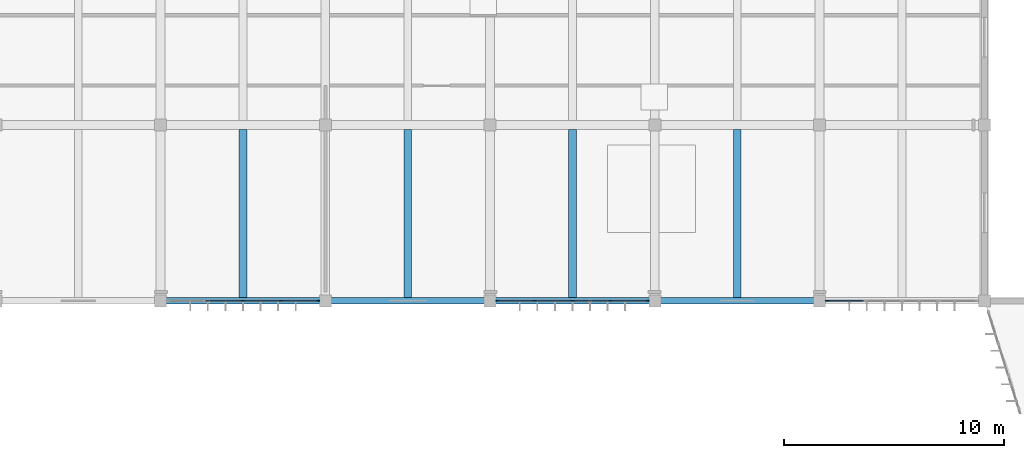
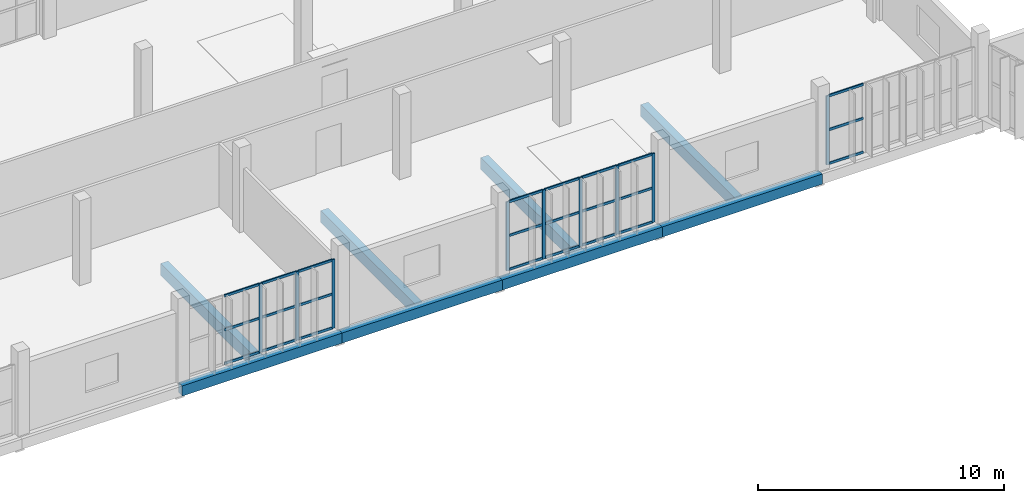
# One storey, part 15 of 61: 33 members, 8 beams, 3 elements without a shape of their own.
"""IFC4 building model written with IfcOpenShell, lengths in metres."""

import ifcopenshell
import ifcopenshell.guid

model = None  # the IFC model being written
_history = None  # IfcOwnerHistory: only IFC2X3 demands one
_inside = {}  # id of a spatial element -> (the spatial element, [elements in it])
_under = {}  # id of a project, library or spatial element -> (it, [spatial elements below it])
_declared = {}  # id of a project -> (the project, [libraries it declares])
_typed = {}  # id of a type object -> (the type object, [elements of that type])
_made_of = {}  # id of a material, layer set ... -> (it, [elements and type objects made of it])


def new_model(schema):
    """Start an empty IFC model of exactly this schema.

    Asked for "IFC4X3", IfcOpenShell would pick the latest addendum, in which some entities
    have other attributes; the version numbers below select the first issue.
    IFC2X3 requires an IfcOwnerHistory on every rooted entity: one is made here for all.
    """
    global model, _history
    if schema == "IFC4X3":
        model = ifcopenshell.file(schema_version=(4, 3, 0, 0))
    else:
        model = ifcopenshell.file(schema=schema)
    _inside.clear()
    _under.clear()
    _declared.clear()
    _typed.clear()
    _made_of.clear()
    _history = None
    if model.schema == "IFC2X3":
        org = make("IfcOrganization", Name="unknown")
        user = make(
            "IfcPersonAndOrganization",
            ThePerson=make("IfcPerson", FamilyName="unknown"),
            TheOrganization=org,
        )
        app = make(
            "IfcApplication",
            ApplicationDeveloper=org,
            Version="unknown",
            ApplicationFullName="unknown",
            ApplicationIdentifier="unknown",
        )
        _history = make(
            "IfcOwnerHistory",
            OwningUser=user,
            OwningApplication=app,
            ChangeAction="ADDED",
            CreationDate=0,
        )
    return model


def make(cls, **values):
    """One entity of the class cls with the attributes given. An attribute that is None is left unset."""
    return model.create_entity(
        cls, **{name: value for name, value in values.items() if value is not None}
    )


def rooted(cls, **values):
    """An entity with a GlobalId (a new one), such as an element, a storey or a relation."""
    return make(cls, GlobalId=ifcopenshell.guid.new(), OwnerHistory=_history, **values)


def si_unit(unit_type, name, prefix=None):
    """IfcSIUnit, for example si_unit("LENGTHUNIT", "METRE", prefix="MILLI")."""
    return make("IfcSIUnit", UnitType=unit_type, Prefix=prefix, Name=name)


def assignment(units):
    """IfcUnitAssignment: the units of a project."""
    return None if units is None else make("IfcUnitAssignment", Units=units)


def point(xyz):
    """IfcCartesianPoint."""
    return None if xyz is None else make("IfcCartesianPoint", Coordinates=xyz)


def direction(xyz):
    """IfcDirection."""
    return None if xyz is None else make("IfcDirection", DirectionRatios=xyz)


def frame(location, z_axis=None, x_axis=None):
    """IfcAxis2Placement3D, a coordinate frame: its origin and axes. An axis left out is left unset."""
    return make(
        "IfcAxis2Placement3D",
        Location=point(location),
        Axis=direction(z_axis),
        RefDirection=direction(x_axis),
    )


def frame_2d(location, x_axis=None):
    """IfcAxis2Placement2D, a coordinate frame in the plane: its origin and x axis."""
    return make(
        "IfcAxis2Placement2D", Location=point(location), RefDirection=direction(x_axis)
    )


def origin():
    """The frame at (0, 0, 0) with its axes left unset."""
    return frame((0.0, 0.0, 0.0))


def origin_2d():
    """The frame at (0, 0) in the plane with its x axis left unset."""
    return frame_2d((0.0, 0.0))


def place(relative_to, where):
    """IfcLocalPlacement: puts the frame where relative to a parent placement (None: the world)."""
    return make(
        "IfcLocalPlacement", PlacementRelTo=relative_to, RelativePlacement=where
    )


def context(
    kind, dimensions, precision=None, world=None, true_north=None, identifier=None
):
    """IfcGeometricRepresentationContext, for example the 3D "Model" context."""
    return make(
        "IfcGeometricRepresentationContext",
        ContextIdentifier=identifier,
        ContextType=kind,
        CoordinateSpaceDimension=dimensions,
        Precision=precision,
        WorldCoordinateSystem=world,
        TrueNorth=true_north,
    )


def subcontext(parent, identifier, kind, view, scale=None):
    """IfcGeometricRepresentationSubContext, for example "Body" below "Model"."""
    return make(
        "IfcGeometricRepresentationSubContext",
        ContextIdentifier=identifier,
        ContextType=kind,
        ParentContext=parent,
        TargetScale=scale,
        TargetView=view,
    )


def project(units=None, contexts=None):
    """IfcProject with its units and contexts."""
    return rooted(
        "IfcProject",
        Name="project",
        RepresentationContexts=contexts,
        UnitsInContext=assignment(units),
    )


def spatial(cls, under=None, at=None, **own):
    """A site, building, storey or space (cls), placed at a placement, below another one or the project."""
    s = rooted(cls, ObjectPlacement=at, **own)
    if under is not None:
        _under.setdefault(under.id(), (under, []))[1].append(s)
    return s


def profile(cls, at=None, kind="AREA", **sizes):
    """A parametric profile (cls). Its sizes go by their IFC names, for example OverallWidth=200.0."""
    return make(cls, ProfileType=kind, Position=at, **sizes)


def rectangle(**sizes):
    """IfcRectangleProfileDef."""
    return profile("IfcRectangleProfileDef", **sizes)


def extrude(swept, where, along, depth):
    """IfcExtrudedAreaSolid: the profile swept, set in the frame where, extruded along a direction by depth."""
    return make(
        "IfcExtrudedAreaSolid",
        SweptArea=swept,
        Position=where,
        ExtrudedDirection=direction(along),
        Depth=depth,
    )


def shape(context_of_items, identifier, shape_type, items):
    """IfcShapeRepresentation: the items that make up one representation, for example the "Body"."""
    return make(
        "IfcShapeRepresentation",
        ContextOfItems=context_of_items,
        RepresentationIdentifier=identifier,
        RepresentationType=shape_type,
        Items=items,
    )


def material(Name=None, Category=None):
    """IfcMaterial."""
    return make("IfcMaterial", Name=Name, Category=Category)


def material_profile(
    of_material, cross_section, Name=None, Category=None, Priority=None
):
    """IfcMaterialProfile: a cross section and its material."""
    return make(
        "IfcMaterialProfile",
        Name=Name,
        Material=of_material,
        Profile=cross_section,
        Priority=Priority,
        Category=Category,
    )


def profile_set(profiles, Name=None, composite=None):
    """IfcMaterialProfileSet."""
    return make(
        "IfcMaterialProfileSet",
        Name=Name,
        MaterialProfiles=profiles,
        CompositeProfile=composite,
    )


def made_of(thing, what):
    """Note that an element or type object is made of a material, layer set ...; save() writes the relation."""
    if what is not None:
        _made_of.setdefault(what.id(), (what, []))[1].append(thing)
    return thing


def type_object(cls, material=None, **own):
    """A type object (cls), such as IfcWallType, which elements share."""
    return made_of(rooted(cls, **own), material)


def element(
    cls,
    number,
    at=None,
    inside=None,
    cuts=None,
    type_object=None,
    material=None,
    context=None,
    identifier="Body",
    shape_type=None,
    held_by="IfcProductDefinitionShape",
    body=None,
    shapes=None,
    **own,
):
    """One element of the class cls, such as IfcWall. Its Tag is "e" and its number.

    at: its placement. inside: the storey or other place that contains it. cuts: it is an
    opening in that element (IfcRelVoidsElement). A single representation is given by context,
    identifier, shape_type and body (its items); several are given by shapes. held_by: the class
    of the entity that holds the representations. save() writes the other relations.
    """
    e = rooted(cls, Tag="e%d" % number, ObjectPlacement=at, **own)
    if body is not None:
        shapes = [shape(context, identifier, shape_type, body)]
    if shapes is not None:
        e.Representation = make(held_by, Representations=shapes)
    if inside is not None:
        _inside.setdefault(inside.id(), (inside, []))[1].append(e)
    if cuts is not None:
        rooted(
            "IfcRelVoidsElement", RelatingBuildingElement=cuts, RelatedOpeningElement=e
        )
    if type_object is not None:
        _typed.setdefault(type_object.id(), (type_object, []))[1].append(e)
    return made_of(e, material)


def aggregate(whole, parts):
    """IfcRelAggregates: a whole, such as a stair, and the parts it consists of."""
    return rooted("IfcRelAggregates", RelatingObject=whole, RelatedObjects=parts)


def save(model, path):
    """Write the relations noted so far, then the file.

    IfcRelAggregates (storeys below a building ...), IfcRelContainedInSpatialStructure (elements
    in a storey), IfcRelDefinesByType, IfcRelAssociatesMaterial and IfcRelDeclares: one each for
    every whole, place, type object, material and project.
    """
    for whole, parts in _under.values():
        aggregate(whole, parts)
    for where, things in _inside.values():
        rooted(
            "IfcRelContainedInSpatialStructure",
            RelatedElements=things,
            RelatingStructure=where,
        )
    for kind, things in _typed.values():
        rooted("IfcRelDefinesByType", RelatedObjects=things, RelatingType=kind)
    for what, things in _made_of.values():
        rooted("IfcRelAssociatesMaterial", RelatedObjects=things, RelatingMaterial=what)
    for by, libraries in _declared.values():
        rooted("IfcRelDeclares", RelatingContext=by, RelatedDefinitions=libraries)
    model.write(path)


model = new_model("IFC4")

# Units and contexts
model_context = context("Model", 3, precision=1e-05, world=origin(), true_north=direction((0.0, 1.0)))
body_context = subcontext(model_context, "Body", "Model", "MODEL_VIEW")
ifc_project = project(units=[si_unit("LENGTHUNIT", "METRE"), si_unit("AREAUNIT", "SQUARE_METRE"), si_unit("VOLUMEUNIT", "CUBIC_METRE"), si_unit("PLANEANGLEUNIT", "RADIAN"), si_unit("MASSUNIT", "GRAM", prefix="KILO")], contexts=[model_context])

# Site, building, storey
site_placement = place(None, origin())
site = spatial("IfcSite", under=ifc_project, at=site_placement, CompositionType="ELEMENT")
building_placement = place(site_placement, origin())
building = spatial("IfcBuilding", under=site, at=building_placement, Name="Vourika Railside Aquatics Centre", CompositionType="ELEMENT")
storey_placement = place(building_placement, frame((0.0, 0.0, 9.300048828125)))
storey = spatial("IfcBuildingStorey", under=building, at=storey_placement, Name="L02", CompositionType="ELEMENT", Elevation=9.300048828125)

# Beams
ifc_material_1 = material(Name="Concrete C35/45", Category="concrete")
ifc_material_profile_1 = material_profile(ifc_material_1, rectangle(XDim=0.35009765625, YDim=0.60009765625, at=origin_2d()), Name="RC 350x600")
ifc_profile_set_1 = profile_set([ifc_material_profile_1], Name="Concrete C35/45")
beam_type_1 = type_object("IfcBeamType", Name="BM-SEC-350x600", PredefinedType="JOIST", material=ifc_profile_set_1)
for number, where, z_axis, x_axis, name in (
    (1, (99.75, 92.14990234375, -0.580078125), (0.0, 1.0, 0.0), (-1.0, 0.0, 0.0), "Secondary Joist JY-L02-344"),
    (2, (107.25, 92.14990234375, -0.580078125), (0.0, 1.0, 0.0), (-1.0, 0.0, 0.0), "Secondary Joist JY-L02-345"),
    (3, (114.75, 92.14990234375, -0.580078125), (0.0, 1.0, 0.0), (-1.0, 0.0, 0.0), "Secondary Joist JY-L02-346"),
    (4, (122.25, 92.14990234375, -0.580078125), (0.0, 1.0, 0.0), (-1.0, 0.0, 0.0), "Secondary Joist JY-L02-347"),
):
    element("IfcBeam", number, at=place(storey_placement, frame(where, z_axis=z_axis, x_axis=x_axis)), inside=storey, type_object=beam_type_1, Name=name, PredefinedType="JOIST", context=body_context, shape_type="SweptSolid", body=[
        extrude(rectangle(XDim=0.35009765625, YDim=0.60009765625, at=origin_2d()), origin(), (0.0, 0.0, 1.0), 7.650146484375),
    ])
ifc_material_profile_2 = material_profile(ifc_material_1, rectangle(XDim=0.300048828125, YDim=0.5, at=origin_2d()), Name="RC 300x500")
ifc_profile_set_2 = profile_set([ifc_material_profile_2], Name="Concrete C35/45")
beam_type_2 = type_object("IfcBeamType", Name="BM-SPAN-300x500", PredefinedType="SPANDREL", material=ifc_profile_set_2)
for number, where, z_axis, x_axis, name in (
    (5, (96.0, 92.0, -0.530029296875), (1.0, 0.0, 0.0), (0.0, 1.0, 0.0), "Floor Beam GX-L02-094"),
    (6, (103.5, 92.0, -0.530029296875), (1.0, 0.0, 0.0), (0.0, 1.0, 0.0), "Floor Beam GX-L02-095"),
    (7, (111.0, 92.0, -0.530029296875), (1.0, 0.0, 0.0), (0.0, 1.0, 0.0), "Floor Beam GX-L02-096"),
    (8, (118.5, 92.0, -0.530029296875), (1.0, 0.0, 0.0), (0.0, 1.0, 0.0), "Floor Beam GX-L02-097"),
):
    element("IfcBeam", number, at=place(storey_placement, frame(where, z_axis=z_axis, x_axis=x_axis)), inside=storey, type_object=beam_type_2, Name=name, PredefinedType="SPANDREL", context=body_context, shape_type="SweptSolid", body=[
        extrude(rectangle(XDim=0.300048828125, YDim=0.5, at=origin_2d()), origin(), (0.0, 0.0, 1.0), 7.5),
    ])

# Curtain wall, members
ifc_material_2 = material(Name="Anodized thermally broken aluminium", Category="aluminium")
curtain_wall_type = type_object("IfcCurtainWallType", Name="CW-FIT2", PredefinedType="NOTDEFINED", material=ifc_material_2)
curtain_wall_1_placement = place(storey_placement, origin())
curtain_wall_1 = element("IfcCurtainWall", 9, at=curtain_wall_1_placement, inside=storey, type_object=curtain_wall_type, Name="Courtyard Fitness Curtain Wall L02-9", PredefinedType="NOTDEFINED")
ifc_material_3 = material(Name="Anodized aluminium mullion", Category="aluminium")
ifc_material_profile_3 = material_profile(ifc_material_3, rectangle(XDim=0.06005859375, YDim=0.14990234375, at=origin_2d()), Name="ALU-M 60x150")
ifc_profile_set_3 = profile_set([ifc_material_profile_3], Name="Anodized aluminium mullion")
member_type_1 = type_object("IfcMemberType", Name="CWM-FIT2", PredefinedType="MULLION", material=ifc_profile_set_3)
member_1_placement = place(storey_placement, frame((99.75, 92.0, 0.0), z_axis=(0.0, 0.0, 1.0), x_axis=(0.0, 1.0, 0.0)))
member_1 = element("IfcMember", 10, at=member_1_placement, type_object=member_type_1, Name="CW16 mullion 3", PredefinedType="MULLION", context=body_context, shape_type="SweptSolid", body=[
    extrude(rectangle(XDim=0.06005859375, YDim=0.14990234375, at=origin_2d()), origin(), (0.0, 0.0, 1.0), 3.409912109375),
])
member_2_placement = place(storey_placement, frame((101.472412109375, 92.0, 0.0), z_axis=(0.0, 0.0, 1.0), x_axis=(0.0, 1.0, 0.0)))
member_2 = element("IfcMember", 11, at=member_2_placement, type_object=member_type_1, Name="CW16 mullion 4", PredefinedType="MULLION", context=body_context, shape_type="SweptSolid", body=[
    extrude(rectangle(XDim=0.06005859375, YDim=0.14990234375, at=origin_2d()), origin(), (0.0, 0.0, 1.0), 3.409912109375),
])
member_3_placement = place(storey_placement, frame((103.1650390625, 92.0, 0.0), z_axis=(0.0, 0.0, 1.0), x_axis=(0.0, 1.0, 0.0)))
member_3 = element("IfcMember", 12, at=member_3_placement, type_object=member_type_1, Name="CW16 mullion 5", PredefinedType="MULLION", context=body_context, shape_type="SweptSolid", body=[
    extrude(rectangle(XDim=0.06005859375, YDim=0.14990234375, at=origin_2d()), origin(), (0.0, 0.0, 1.0), 3.409912109375),
])

curtain_wall_2_placement = place(storey_placement, origin())
curtain_wall_2 = element("IfcCurtainWall", 13, at=curtain_wall_2_placement, inside=storey, type_object=curtain_wall_type, Name="Courtyard Fitness Curtain Wall L02-11", PredefinedType="NOTDEFINED")
member_4_placement = place(storey_placement, frame((111.3349609375, 92.0, 0.0), z_axis=(0.0, 0.0, 1.0), x_axis=(0.0, 1.0, 0.0)))
member_4 = element("IfcMember", 14, at=member_4_placement, type_object=member_type_1, Name="CW16 mullion 1", PredefinedType="MULLION", context=body_context, shape_type="SweptSolid", body=[
    extrude(rectangle(XDim=0.06005859375, YDim=0.14990234375, at=origin_2d()), origin(), (0.0, 0.0, 1.0), 3.409912109375),
])
member_5_placement = place(storey_placement, frame((113.027587890625, 92.0, 0.0), z_axis=(0.0, 0.0, 1.0), x_axis=(0.0, 1.0, 0.0)))
member_5 = element("IfcMember", 15, at=member_5_placement, type_object=member_type_1, Name="CW16 mullion 2", PredefinedType="MULLION", context=body_context, shape_type="SweptSolid", body=[
    extrude(rectangle(XDim=0.06005859375, YDim=0.14990234375, at=origin_2d()), origin(), (0.0, 0.0, 1.0), 3.409912109375),
])
member_6_placement = place(storey_placement, frame((114.75, 92.0, 0.0), z_axis=(0.0, 0.0, 1.0), x_axis=(0.0, 1.0, 0.0)))
member_6 = element("IfcMember", 16, at=member_6_placement, type_object=member_type_1, Name="CW16 mullion 3", PredefinedType="MULLION", context=body_context, shape_type="SweptSolid", body=[
    extrude(rectangle(XDim=0.06005859375, YDim=0.14990234375, at=origin_2d()), origin(), (0.0, 0.0, 1.0), 3.409912109375),
])
member_7_placement = place(storey_placement, frame((116.472412109375, 92.0, 0.0), z_axis=(0.0, 0.0, 1.0), x_axis=(0.0, 1.0, 0.0)))
member_7 = element("IfcMember", 17, at=member_7_placement, type_object=member_type_1, Name="CW16 mullion 4", PredefinedType="MULLION", context=body_context, shape_type="SweptSolid", body=[
    extrude(rectangle(XDim=0.06005859375, YDim=0.14990234375, at=origin_2d()), origin(), (0.0, 0.0, 1.0), 3.409912109375),
])
member_8_placement = place(storey_placement, frame((118.1650390625, 92.0, 0.0), z_axis=(0.0, 0.0, 1.0), x_axis=(0.0, 1.0, 0.0)))
member_8 = element("IfcMember", 18, at=member_8_placement, type_object=member_type_1, Name="CW16 mullion 5", PredefinedType="MULLION", context=body_context, shape_type="SweptSolid", body=[
    extrude(rectangle(XDim=0.06005859375, YDim=0.14990234375, at=origin_2d()), origin(), (0.0, 0.0, 1.0), 3.409912109375),
])

# Curtain wall, member
curtain_wall_3_placement = place(storey_placement, origin())
curtain_wall_3 = element("IfcCurtainWall", 19, at=curtain_wall_3_placement, inside=storey, type_object=curtain_wall_type, Name="Courtyard Fitness Curtain Wall L02-13", PredefinedType="NOTDEFINED")
member_9_placement = place(storey_placement, frame((126.3349609375, 92.0, 0.0), z_axis=(0.0, 0.0, 1.0), x_axis=(0.0, 1.0, 0.0)))
member_9 = element("IfcMember", 20, at=member_9_placement, type_object=member_type_1, Name="CW16 mullion 1", PredefinedType="MULLION", context=body_context, shape_type="SweptSolid", body=[
    extrude(rectangle(XDim=0.06005859375, YDim=0.14990234375, at=origin_2d()), origin(), (0.0, 0.0, 1.0), 3.409912109375),
])

# Member
ifc_material_4 = material(Name="Anodized aluminium transom", Category="aluminium")
ifc_material_profile_4 = material_profile(ifc_material_4, rectangle(XDim=0.06005859375, YDim=0.117919921875, at=origin_2d()), Name="ALU-T 60x118")
ifc_profile_set_4 = profile_set([ifc_material_profile_4], Name="Anodized aluminium transom")
member_type_2 = type_object("IfcMemberType", Name="CWT-FIT2", PredefinedType="USERDEFINED", material=ifc_profile_set_4)
member_10_placement = place(storey_placement, frame((98.0576171875, 92.0, 0.030029296875), z_axis=(1.0, 0.0, 0.0), x_axis=(0.0, 1.0, 0.0)))
member_10 = element("IfcMember", 21, at=member_10_placement, type_object=member_type_2, Name="CW16 transom 2.1", ObjectType="TRANSOM", PredefinedType="USERDEFINED", context=body_context, shape_type="SweptSolid", body=[
    extrude(rectangle(XDim=0.06005859375, YDim=0.117919921875, at=origin_2d()), origin(), (0.0, 0.0, 1.0), 1.662353515625),
])

member_11_placement = place(storey_placement, frame((98.0576171875, 92.0, 1.704833984375), z_axis=(1.0, 0.0, 0.0), x_axis=(0.0, 1.0, 0.0)))
member_11 = element("IfcMember", 22, at=member_11_placement, type_object=member_type_2, Name="CW16 transom 2.2", ObjectType="TRANSOM", PredefinedType="USERDEFINED", context=body_context, shape_type="SweptSolid", body=[
    extrude(rectangle(XDim=0.06005859375, YDim=0.117919921875, at=origin_2d()), origin(), (0.0, 0.0, 1.0), 1.662353515625),
])

member_12_placement = place(storey_placement, frame((98.0576171875, 92.0, 3.3798828125), z_axis=(1.0, 0.0, 0.0), x_axis=(0.0, 1.0, 0.0)))
member_12 = element("IfcMember", 23, at=member_12_placement, type_object=member_type_2, Name="CW16 transom 2.3", ObjectType="TRANSOM", PredefinedType="USERDEFINED", context=body_context, shape_type="SweptSolid", body=[
    extrude(rectangle(XDim=0.06005859375, YDim=0.117919921875, at=origin_2d()), origin(), (0.0, 0.0, 1.0), 1.662353515625),
])

member_13_placement = place(storey_placement, frame((99.780029296875, 92.0, 0.030029296875), z_axis=(1.0, 0.0, 0.0), x_axis=(0.0, 1.0, 0.0)))
member_13 = element("IfcMember", 24, at=member_13_placement, type_object=member_type_2, Name="CW16 transom 3.1", ObjectType="TRANSOM", PredefinedType="USERDEFINED", context=body_context, shape_type="SweptSolid", body=[
    extrude(rectangle(XDim=0.06005859375, YDim=0.117919921875, at=origin_2d()), origin(), (0.0, 0.0, 1.0), 1.662353515625),
])

member_14_placement = place(storey_placement, frame((99.780029296875, 92.0, 1.704833984375), z_axis=(1.0, 0.0, 0.0), x_axis=(0.0, 1.0, 0.0)))
member_14 = element("IfcMember", 25, at=member_14_placement, type_object=member_type_2, Name="CW16 transom 3.2", ObjectType="TRANSOM", PredefinedType="USERDEFINED", context=body_context, shape_type="SweptSolid", body=[
    extrude(rectangle(XDim=0.06005859375, YDim=0.117919921875, at=origin_2d()), origin(), (0.0, 0.0, 1.0), 1.662353515625),
])

member_15_placement = place(storey_placement, frame((99.780029296875, 92.0, 3.3798828125), z_axis=(1.0, 0.0, 0.0), x_axis=(0.0, 1.0, 0.0)))
member_15 = element("IfcMember", 26, at=member_15_placement, type_object=member_type_2, Name="CW16 transom 3.3", ObjectType="TRANSOM", PredefinedType="USERDEFINED", context=body_context, shape_type="SweptSolid", body=[
    extrude(rectangle(XDim=0.06005859375, YDim=0.117919921875, at=origin_2d()), origin(), (0.0, 0.0, 1.0), 1.662353515625),
])

member_16_placement = place(storey_placement, frame((101.50244140625, 92.0, 0.030029296875), z_axis=(1.0, 0.0, 0.0), x_axis=(0.0, 1.0, 0.0)))
member_16 = element("IfcMember", 27, at=member_16_placement, type_object=member_type_2, Name="CW16 transom 4.1", ObjectType="TRANSOM", PredefinedType="USERDEFINED", context=body_context, shape_type="SweptSolid", body=[
    extrude(rectangle(XDim=0.06005859375, YDim=0.117919921875, at=origin_2d()), origin(), (0.0, 0.0, 1.0), 1.632568359375),
])

member_17_placement = place(storey_placement, frame((101.50244140625, 92.0, 1.704833984375), z_axis=(1.0, 0.0, 0.0), x_axis=(0.0, 1.0, 0.0)))
member_17 = element("IfcMember", 28, at=member_17_placement, type_object=member_type_2, Name="CW16 transom 4.2", ObjectType="TRANSOM", PredefinedType="USERDEFINED", context=body_context, shape_type="SweptSolid", body=[
    extrude(rectangle(XDim=0.06005859375, YDim=0.117919921875, at=origin_2d()), origin(), (0.0, 0.0, 1.0), 1.632568359375),
])

member_18_placement = place(storey_placement, frame((101.50244140625, 92.0, 3.3798828125), z_axis=(1.0, 0.0, 0.0), x_axis=(0.0, 1.0, 0.0)))
member_18 = element("IfcMember", 29, at=member_18_placement, type_object=member_type_2, Name="CW16 transom 4.3", ObjectType="TRANSOM", PredefinedType="USERDEFINED", context=body_context, shape_type="SweptSolid", body=[
    extrude(rectangle(XDim=0.06005859375, YDim=0.117919921875, at=origin_2d()), origin(), (0.0, 0.0, 1.0), 1.632568359375),
])

aggregate(curtain_wall_1, [member_1, member_2, member_3, member_10, member_11, member_12, member_13, member_14, member_15, member_16, member_17, member_18])

member_19_placement = place(storey_placement, frame((111.364990234375, 92.0, 0.030029296875), z_axis=(1.0, 0.0, 0.0), x_axis=(0.0, 1.0, 0.0)))
member_19 = element("IfcMember", 30, at=member_19_placement, type_object=member_type_2, Name="CW16 transom 1.1", ObjectType="TRANSOM", PredefinedType="USERDEFINED", context=body_context, shape_type="SweptSolid", body=[
    extrude(rectangle(XDim=0.06005859375, YDim=0.117919921875, at=origin_2d()), origin(), (0.0, 0.0, 1.0), 1.632568359375),
])

member_20_placement = place(storey_placement, frame((111.364990234375, 92.0, 1.704833984375), z_axis=(1.0, 0.0, 0.0), x_axis=(0.0, 1.0, 0.0)))
member_20 = element("IfcMember", 31, at=member_20_placement, type_object=member_type_2, Name="CW16 transom 1.2", ObjectType="TRANSOM", PredefinedType="USERDEFINED", context=body_context, shape_type="SweptSolid", body=[
    extrude(rectangle(XDim=0.06005859375, YDim=0.117919921875, at=origin_2d()), origin(), (0.0, 0.0, 1.0), 1.632568359375),
])

member_21_placement = place(storey_placement, frame((111.364990234375, 92.0, 3.3798828125), z_axis=(1.0, 0.0, 0.0), x_axis=(0.0, 1.0, 0.0)))
member_21 = element("IfcMember", 32, at=member_21_placement, type_object=member_type_2, Name="CW16 transom 1.3", ObjectType="TRANSOM", PredefinedType="USERDEFINED", context=body_context, shape_type="SweptSolid", body=[
    extrude(rectangle(XDim=0.06005859375, YDim=0.117919921875, at=origin_2d()), origin(), (0.0, 0.0, 1.0), 1.632568359375),
])

member_22_placement = place(storey_placement, frame((113.0576171875, 92.0, 0.030029296875), z_axis=(1.0, 0.0, 0.0), x_axis=(0.0, 1.0, 0.0)))
member_22 = element("IfcMember", 33, at=member_22_placement, type_object=member_type_2, Name="CW16 transom 2.1", ObjectType="TRANSOM", PredefinedType="USERDEFINED", context=body_context, shape_type="SweptSolid", body=[
    extrude(rectangle(XDim=0.06005859375, YDim=0.117919921875, at=origin_2d()), origin(), (0.0, 0.0, 1.0), 1.662353515625),
])

member_23_placement = place(storey_placement, frame((113.0576171875, 92.0, 1.704833984375), z_axis=(1.0, 0.0, 0.0), x_axis=(0.0, 1.0, 0.0)))
member_23 = element("IfcMember", 34, at=member_23_placement, type_object=member_type_2, Name="CW16 transom 2.2", ObjectType="TRANSOM", PredefinedType="USERDEFINED", context=body_context, shape_type="SweptSolid", body=[
    extrude(rectangle(XDim=0.06005859375, YDim=0.117919921875, at=origin_2d()), origin(), (0.0, 0.0, 1.0), 1.662353515625),
])

member_24_placement = place(storey_placement, frame((113.0576171875, 92.0, 3.3798828125), z_axis=(1.0, 0.0, 0.0), x_axis=(0.0, 1.0, 0.0)))
member_24 = element("IfcMember", 35, at=member_24_placement, type_object=member_type_2, Name="CW16 transom 2.3", ObjectType="TRANSOM", PredefinedType="USERDEFINED", context=body_context, shape_type="SweptSolid", body=[
    extrude(rectangle(XDim=0.06005859375, YDim=0.117919921875, at=origin_2d()), origin(), (0.0, 0.0, 1.0), 1.662353515625),
])

member_25_placement = place(storey_placement, frame((114.780029296875, 92.0, 0.030029296875), z_axis=(1.0, 0.0, 0.0), x_axis=(0.0, 1.0, 0.0)))
member_25 = element("IfcMember", 36, at=member_25_placement, type_object=member_type_2, Name="CW16 transom 3.1", ObjectType="TRANSOM", PredefinedType="USERDEFINED", context=body_context, shape_type="SweptSolid", body=[
    extrude(rectangle(XDim=0.06005859375, YDim=0.117919921875, at=origin_2d()), origin(), (0.0, 0.0, 1.0), 1.662353515625),
])

member_26_placement = place(storey_placement, frame((114.780029296875, 92.0, 1.704833984375), z_axis=(1.0, 0.0, 0.0), x_axis=(0.0, 1.0, 0.0)))
member_26 = element("IfcMember", 37, at=member_26_placement, type_object=member_type_2, Name="CW16 transom 3.2", ObjectType="TRANSOM", PredefinedType="USERDEFINED", context=body_context, shape_type="SweptSolid", body=[
    extrude(rectangle(XDim=0.06005859375, YDim=0.117919921875, at=origin_2d()), origin(), (0.0, 0.0, 1.0), 1.662353515625),
])

member_27_placement = place(storey_placement, frame((114.780029296875, 92.0, 3.3798828125), z_axis=(1.0, 0.0, 0.0), x_axis=(0.0, 1.0, 0.0)))
member_27 = element("IfcMember", 38, at=member_27_placement, type_object=member_type_2, Name="CW16 transom 3.3", ObjectType="TRANSOM", PredefinedType="USERDEFINED", context=body_context, shape_type="SweptSolid", body=[
    extrude(rectangle(XDim=0.06005859375, YDim=0.117919921875, at=origin_2d()), origin(), (0.0, 0.0, 1.0), 1.662353515625),
])

member_28_placement = place(storey_placement, frame((116.50244140625, 92.0, 0.030029296875), z_axis=(1.0, 0.0, 0.0), x_axis=(0.0, 1.0, 0.0)))
member_28 = element("IfcMember", 39, at=member_28_placement, type_object=member_type_2, Name="CW16 transom 4.1", ObjectType="TRANSOM", PredefinedType="USERDEFINED", context=body_context, shape_type="SweptSolid", body=[
    extrude(rectangle(XDim=0.06005859375, YDim=0.117919921875, at=origin_2d()), origin(), (0.0, 0.0, 1.0), 1.632568359375),
])

member_29_placement = place(storey_placement, frame((116.50244140625, 92.0, 1.704833984375), z_axis=(1.0, 0.0, 0.0), x_axis=(0.0, 1.0, 0.0)))
member_29 = element("IfcMember", 40, at=member_29_placement, type_object=member_type_2, Name="CW16 transom 4.2", ObjectType="TRANSOM", PredefinedType="USERDEFINED", context=body_context, shape_type="SweptSolid", body=[
    extrude(rectangle(XDim=0.06005859375, YDim=0.117919921875, at=origin_2d()), origin(), (0.0, 0.0, 1.0), 1.632568359375),
])

member_30_placement = place(storey_placement, frame((116.50244140625, 92.0, 3.3798828125), z_axis=(1.0, 0.0, 0.0), x_axis=(0.0, 1.0, 0.0)))
member_30 = element("IfcMember", 41, at=member_30_placement, type_object=member_type_2, Name="CW16 transom 4.3", ObjectType="TRANSOM", PredefinedType="USERDEFINED", context=body_context, shape_type="SweptSolid", body=[
    extrude(rectangle(XDim=0.06005859375, YDim=0.117919921875, at=origin_2d()), origin(), (0.0, 0.0, 1.0), 1.632568359375),
])

aggregate(curtain_wall_2, [member_4, member_5, member_6, member_7, member_8, member_19, member_20, member_21, member_22, member_23, member_24, member_25, member_26, member_27, member_28, member_29, member_30])

member_31_placement = place(storey_placement, frame((126.364990234375, 92.0, 0.030029296875), z_axis=(1.0, 0.0, 0.0), x_axis=(0.0, 1.0, 0.0)))
member_31 = element("IfcMember", 42, at=member_31_placement, type_object=member_type_2, Name="CW16 transom 1.1", ObjectType="TRANSOM", PredefinedType="USERDEFINED", context=body_context, shape_type="SweptSolid", body=[
    extrude(rectangle(XDim=0.06005859375, YDim=0.117919921875, at=origin_2d()), origin(), (0.0, 0.0, 1.0), 1.632568359375),
])

member_32_placement = place(storey_placement, frame((126.364990234375, 92.0, 1.704833984375), z_axis=(1.0, 0.0, 0.0), x_axis=(0.0, 1.0, 0.0)))
member_32 = element("IfcMember", 43, at=member_32_placement, type_object=member_type_2, Name="CW16 transom 1.2", ObjectType="TRANSOM", PredefinedType="USERDEFINED", context=body_context, shape_type="SweptSolid", body=[
    extrude(rectangle(XDim=0.06005859375, YDim=0.117919921875, at=origin_2d()), origin(), (0.0, 0.0, 1.0), 1.632568359375),
])

member_33_placement = place(storey_placement, frame((126.364990234375, 92.0, 3.3798828125), z_axis=(1.0, 0.0, 0.0), x_axis=(0.0, 1.0, 0.0)))
member_33 = element("IfcMember", 44, at=member_33_placement, type_object=member_type_2, Name="CW16 transom 1.3", ObjectType="TRANSOM", PredefinedType="USERDEFINED", context=body_context, shape_type="SweptSolid", body=[
    extrude(rectangle(XDim=0.06005859375, YDim=0.117919921875, at=origin_2d()), origin(), (0.0, 0.0, 1.0), 1.632568359375),
])

aggregate(curtain_wall_3, [member_9, member_31, member_32, member_33])

save(model, "model.ifc")
